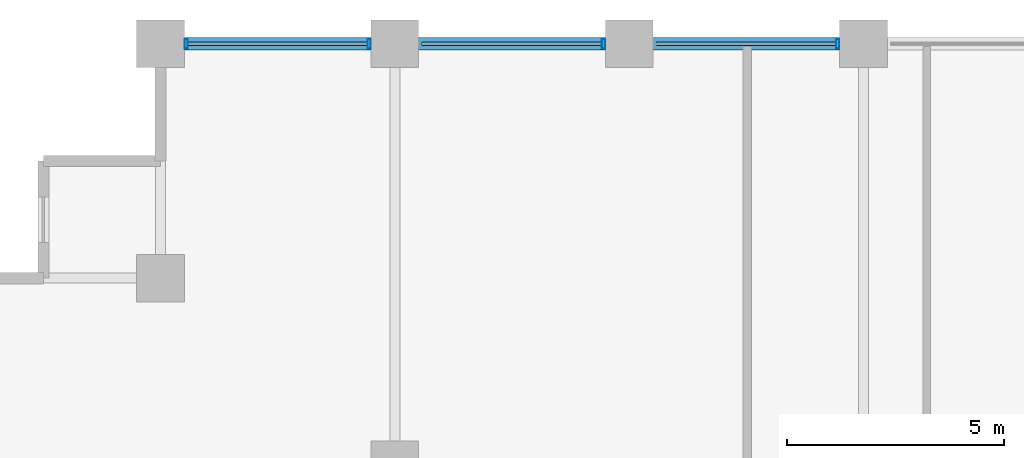
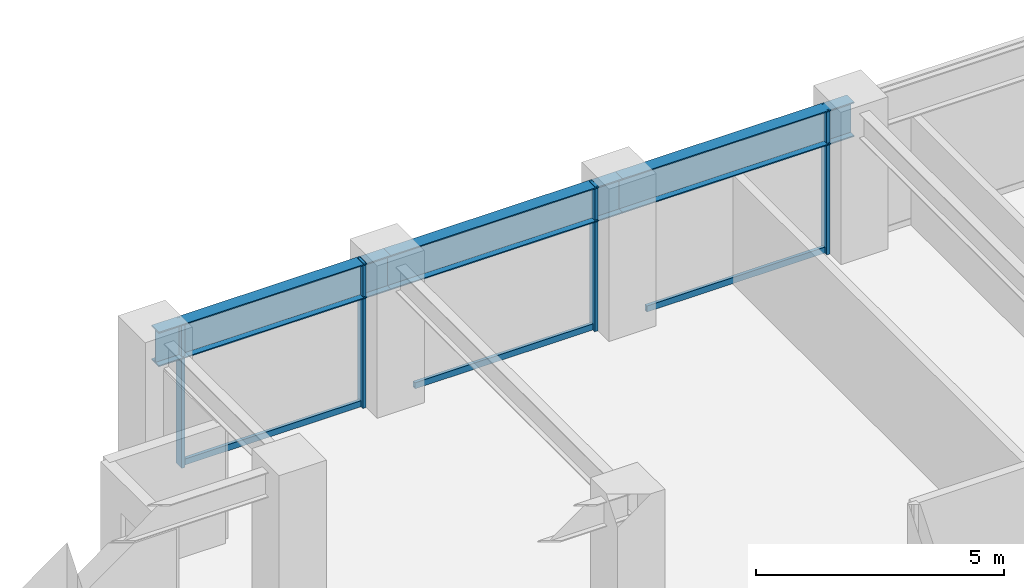
# One storey, part 14 of 29: 7 members, 3 beams, 1 element without a shape of its own.
"""IFC4 building model written with IfcOpenShell, lengths in metres."""

from ifc_helpers import new_model, si_unit, direction, frame, origin, origin_2d, place, context, subcontext, project, spatial, hollow_rectangle, i_section, extrude, material, layer, layer_set, material_profile, profile_set, type_object, element, aggregate, save


model = new_model("IFC4")

# Units and contexts
model_context = context("Model", 3, precision=1e-05, world=origin(), true_north=direction((0.0, 1.0)))
body_context = subcontext(model_context, "Body", "Model", "MODEL_VIEW")
ifc_project = project(units=[si_unit("LENGTHUNIT", "METRE"), si_unit("AREAUNIT", "SQUARE_METRE"), si_unit("VOLUMEUNIT", "CUBIC_METRE"), si_unit("PLANEANGLEUNIT", "RADIAN"), si_unit("MASSUNIT", "GRAM", prefix="KILO")], contexts=[model_context])

# Site, building, storey
site_placement = place(None, origin())
site = spatial("IfcSite", under=ifc_project, at=site_placement, CompositionType="ELEMENT")
building_placement = place(site_placement, origin())
building = spatial("IfcBuilding", under=site, at=building_placement, Name="Surkhivell Harbour Commons", CompositionType="ELEMENT")
storey_placement = place(building_placement, frame((0.0, 0.0, 87.0)))
storey = spatial("IfcBuildingStorey", under=building, at=storey_placement, Name="L22", CompositionType="ELEMENT", Elevation=87.0)

# Beams
ifc_material_1 = material(Name="Steel S460", Category="steel")
ifc_material_profile_1 = material_profile(ifc_material_1, i_section(OverallWidth=0.2939453125, OverallDepth=0.85107421875, WebThickness=0.01611328125, FlangeThickness=0.02685546875, at=origin_2d()), Name="UB838x292x226")
ifc_profile_set_1 = profile_set([ifc_material_profile_1], Name="Steel S460")
beam_type = type_object("IfcBeamType", Name="BM-SPN-838", PredefinedType="SPANDREL", material=ifc_profile_set_1)
beam_1_placement = place(storey_placement, frame((-27.0, 25.89990234375, 3.14453125), z_axis=(1.0, 0.0, 0.0), x_axis=(0.0, 1.0, 0.0)))
element("IfcBeam", 1, at=beam_1_placement, inside=storey, type_object=beam_type, Name="L22 Tube Spandrel (-27.0,25.9)", PredefinedType="SPANDREL", context=body_context, shape_type="SweptSolid", body=[
    extrude(i_section(OverallWidth=0.2939453125, OverallDepth=0.85107421875, WebThickness=0.01611328125, FlangeThickness=0.02685546875, at=origin_2d()), origin(), (0.0, 0.0, 1.0), 5.39990234375),
])
beam_2_placement = place(storey_placement, frame((-21.60009765625, 25.89990234375, 3.14453125), z_axis=(1.0, 0.0, 0.0), x_axis=(0.0, 1.0, 0.0)))
element("IfcBeam", 2, at=beam_2_placement, inside=storey, type_object=beam_type, Name="L22 Tube Spandrel (-21.6,25.9)", PredefinedType="SPANDREL", context=body_context, shape_type="SweptSolid", body=[
    extrude(i_section(OverallWidth=0.2939453125, OverallDepth=0.85107421875, WebThickness=0.01611328125, FlangeThickness=0.02685546875, at=origin_2d()), origin(), (0.0, 0.0, 1.0), 5.400146484375),
])
beam_3_placement = place(storey_placement, frame((-16.199951171875, 25.89990234375, 3.14453125), z_axis=(1.0, 0.0, 0.0), x_axis=(0.0, 1.0, 0.0)))
element("IfcBeam", 3, at=beam_3_placement, inside=storey, type_object=beam_type, Name="L22 Tube Spandrel (-16.2,25.9)", PredefinedType="SPANDREL", context=body_context, shape_type="SweptSolid", body=[
    extrude(i_section(OverallWidth=0.2939453125, OverallDepth=0.85107421875, WebThickness=0.01611328125, FlangeThickness=0.02685546875, at=origin_2d()), origin(), (0.0, 0.0, 1.0), 5.39990234375),
])

# Curtain wall, members
ifc_material_2 = material(Name="Anodised pale-metal aluminium and insulated glazing", Category="aluminium")
ifc_layer = layer(ifc_material_2, 0.205078125)
ifc_layer_set = layer_set([ifc_layer], Name="Anodised pale-metal aluminium and insulated glazing")
curtain_wall_type = type_object("IfcCurtainWallType", Name="CW-SYS-Z2", PredefinedType="NOTDEFINED", material=ifc_layer_set)
curtain_wall_placement = place(storey_placement, origin())
curtain_wall = element("IfcCurtainWall", 4, at=curtain_wall_placement, inside=storey, type_object=curtain_wall_type, Name="L22 Curtain Wall CW-L22-E07S2", PredefinedType="NOTDEFINED")
ifc_material_3 = material(Name="Anodised pale-metal aluminium alloy 6063-T6", Category="aluminium")
ifc_material_profile_2 = material_profile(ifc_material_3, hollow_rectangle(XDim=0.074951171875, YDim=0.219970703125, WallThickness=0.00390625, at=origin_2d()), Name="ALU-MULL-75x220")
ifc_profile_set_2 = profile_set([ifc_material_profile_2], Name="Anodised pale-metal aluminium alloy 6063-T6")
member_type_1 = type_object("IfcMemberType", Name="CWM-220", PredefinedType="MULLION", material=ifc_profile_set_2)
member_1_placement = place(storey_placement, frame((-11.389404296875, 25.89990234375, 0.0), z_axis=(0.0, 0.0, 1.0), x_axis=(-1.0, 0.0, 0.0)))
member_1 = element("IfcMember", 5, at=member_1_placement, type_object=member_type_1, Name="CW-Z2 mullion 2", PredefinedType="MULLION", context=body_context, shape_type="SweptSolid", body=[
    extrude(hollow_rectangle(XDim=0.074951171875, YDim=0.219970703125, WallThickness=0.00390625, at=origin_2d()), origin(), (0.0, 0.0, 1.0), 3.570068359375),
])
member_2_placement = place(storey_placement, frame((-16.78955078125, 25.89990234375, 0.0), z_axis=(0.0, 0.0, 1.0), x_axis=(-1.0, 0.0, 0.0)))
member_2 = element("IfcMember", 6, at=member_2_placement, type_object=member_type_1, Name="CW-Z2 mullion 3", PredefinedType="MULLION", context=body_context, shape_type="SweptSolid", body=[
    extrude(hollow_rectangle(XDim=0.074951171875, YDim=0.219970703125, WallThickness=0.00390625, at=origin_2d()), origin(), (0.0, 0.0, 1.0), 3.570068359375),
])
member_3_placement = place(storey_placement, frame((-22.189453125, 25.89990234375, 0.0), z_axis=(0.0, 0.0, 1.0), x_axis=(-1.0, 0.0, 0.0)))
member_3 = element("IfcMember", 7, at=member_3_placement, type_object=member_type_1, Name="CW-Z2 mullion 4", PredefinedType="MULLION", context=body_context, shape_type="SweptSolid", body=[
    extrude(hollow_rectangle(XDim=0.074951171875, YDim=0.219970703125, WallThickness=0.00390625, at=origin_2d()), origin(), (0.0, 0.0, 1.0), 3.570068359375),
])
member_4_placement = place(storey_placement, frame((-26.410400390625, 25.89990234375, 0.0), z_axis=(0.0, 0.0, 1.0), x_axis=(-1.0, 0.0, 0.0)))
member_4 = element("IfcMember", 8, at=member_4_placement, type_object=member_type_1, Name="CW-Z2 mullion 5", PredefinedType="MULLION", context=body_context, shape_type="SweptSolid", body=[
    extrude(hollow_rectangle(XDim=0.074951171875, YDim=0.219970703125, WallThickness=0.00390625, at=origin_2d()), origin(), (0.0, 0.0, 1.0), 3.570068359375),
])
ifc_material_profile_3 = material_profile(ifc_material_3, hollow_rectangle(XDim=0.074951171875, YDim=0.14990234375, WallThickness=0.00341796875, at=origin_2d()), Name="ALU-TRAN-75x150")
ifc_profile_set_3 = profile_set([ifc_material_profile_3], Name="Anodised pale-metal aluminium alloy 6063-T6")
member_type_2 = type_object("IfcMemberType", Name="CWT-150", PredefinedType="USERDEFINED", material=ifc_profile_set_3)
member_5_placement = place(storey_placement, frame((-11.427001953125, 25.89990234375, 0.074951171875), z_axis=(-1.0, 0.0, 0.0), x_axis=(0.0, -1.0, 0.0)))
member_5 = element("IfcMember", 9, at=member_5_placement, type_object=member_type_2, Name="CW-Z2 transom 2.1", ObjectType="TRANSOM", PredefinedType="USERDEFINED", context=body_context, shape_type="SweptSolid", body=[
    extrude(hollow_rectangle(XDim=0.074951171875, YDim=0.14990234375, WallThickness=0.00341796875, at=origin_2d()), origin(), (0.0, 0.0, 1.0), 4.14599609375),
])
member_6_placement = place(storey_placement, frame((-16.826904296875, 25.89990234375, 0.074951171875), z_axis=(-1.0, 0.0, 0.0), x_axis=(0.0, -1.0, 0.0)))
member_6 = element("IfcMember", 10, at=member_6_placement, type_object=member_type_2, Name="CW-Z2 transom 3.1", ObjectType="TRANSOM", PredefinedType="USERDEFINED", context=body_context, shape_type="SweptSolid", body=[
    extrude(hollow_rectangle(XDim=0.074951171875, YDim=0.14990234375, WallThickness=0.00341796875, at=origin_2d()), origin(), (0.0, 0.0, 1.0), 4.14599609375),
])
member_7_placement = place(storey_placement, frame((-22.22705078125, 25.89990234375, 0.074951171875), z_axis=(-1.0, 0.0, 0.0), x_axis=(0.0, -1.0, 0.0)))
member_7 = element("IfcMember", 11, at=member_7_placement, type_object=member_type_2, Name="CW-Z2 transom 4.1", ObjectType="TRANSOM", PredefinedType="USERDEFINED", context=body_context, shape_type="SweptSolid", body=[
    extrude(hollow_rectangle(XDim=0.074951171875, YDim=0.14990234375, WallThickness=0.00341796875, at=origin_2d()), origin(), (0.0, 0.0, 1.0), 4.14599609375),
])
aggregate(curtain_wall, [member_1, member_5, member_2, member_6, member_3, member_4, member_7])

save(model, "model.ifc")
